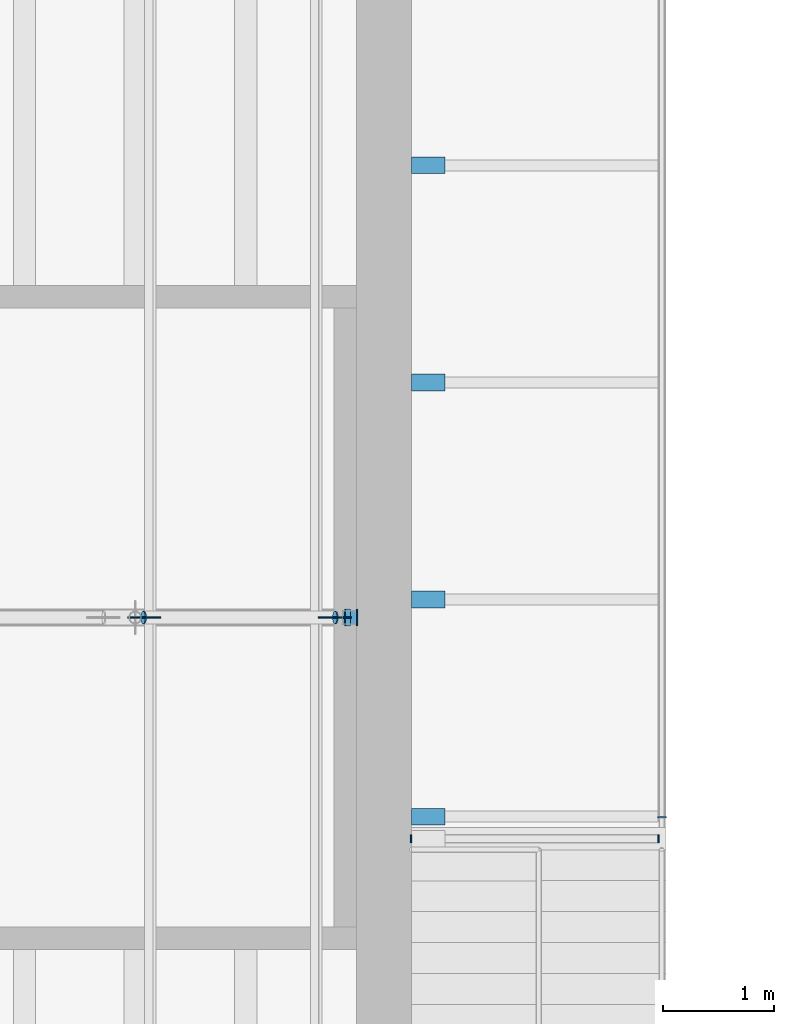
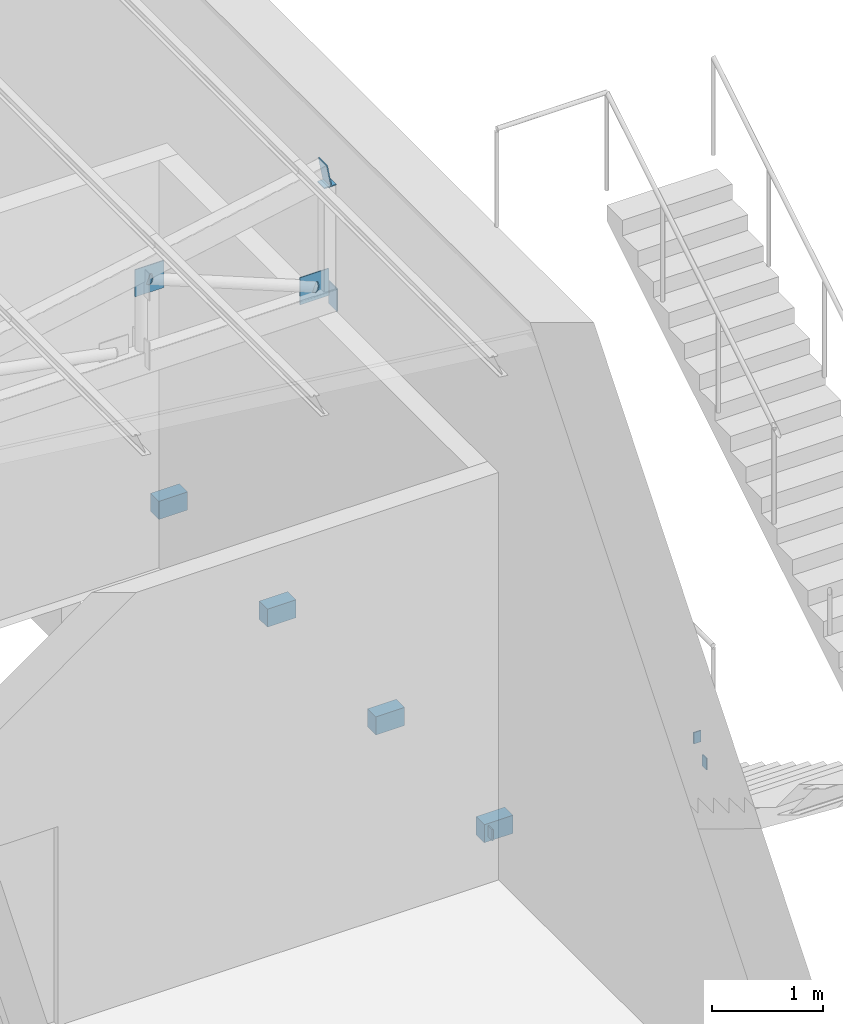
# One storey, part 94 of 118: 14 discrete accessories.
"""IFC4 building model written with IfcOpenShell, lengths in metres."""

from ifc_helpers import new_model, si_unit, direction, frame, origin, origin_2d, place, context, subcontext, project, spatial, rectangle, circle, extrude, material, material_profile, profile_set, type_object, element, save


model = new_model("IFC4")

# Units and contexts
model_context = context("Model", 3, precision=1e-05, world=origin(), true_north=direction((0.0, 1.0)))
body_context = subcontext(model_context, "Body", "Model", "MODEL_VIEW")
ifc_project = project(units=[si_unit("LENGTHUNIT", "METRE"), si_unit("AREAUNIT", "SQUARE_METRE"), si_unit("VOLUMEUNIT", "CUBIC_METRE"), si_unit("PLANEANGLEUNIT", "RADIAN"), si_unit("MASSUNIT", "GRAM", prefix="KILO")], contexts=[model_context])

# Site, building, storey
site_placement = place(None, origin())
site = spatial("IfcSite", under=ifc_project, at=site_placement, CompositionType="ELEMENT")
building_placement = place(site_placement, origin())
building = spatial("IfcBuilding", under=site, at=building_placement, Name="Saffron Lane Theatres", CompositionType="ELEMENT")
storey_placement = place(building_placement, frame((0.0, 0.0, 16.5)))
storey = spatial("IfcBuildingStorey", under=building, at=storey_placement, Name="L03", CompositionType="ELEMENT", Elevation=16.5)

# Discrete accessories
ifc_material_1 = material(Name="Steel Grade 350", Category="steel")
ifc_material_profile_1 = material_profile(ifc_material_1, rectangle(XDim=0.300048828125, YDim=0.300048828125, at=origin_2d()))
ifc_profile_set_1 = profile_set([ifc_material_profile_1], Name="Steel Grade 350")
discrete_accessory_type_1 = type_object("IfcDiscreteAccessoryType", Name="ST-GUSSET CONNECTION PLATE", PredefinedType="BRACKET", material=ifc_profile_set_1)
for number, where, z_axis, x_axis, name in (
    (1, (17.80517578125, 38.9951171875, 4.802978515625), (0.0, 1.0, 0.0), (-1.0, 0.0, 0.0), "GB349"),
    (2, (16.082275390625, 38.9951171875, 5.493896484375), (0.0, 1.0, 0.0), (-1.0, 0.0, 0.0), "GB350"),
):
    element("IfcDiscreteAccessory", number, at=place(storey_placement, frame(where, z_axis=z_axis, x_axis=x_axis)), inside=storey, type_object=discrete_accessory_type_1, Name=name, PredefinedType="BRACKET", context=body_context, shape_type="SweptSolid", body=[
        extrude(rectangle(XDim=0.300048828125, YDim=0.300048828125, at=origin_2d()), origin(), (0.0, 0.0, 1.0), 0.009765625),
    ])
ifc_material_2 = material(Name="Steel Grade 350", Category="steel")
ifc_material_profile_2 = material_profile(ifc_material_2, circle(Radius=0.05712890625, at=origin_2d()))
ifc_profile_set_2 = profile_set([ifc_material_profile_2], Name="Steel Grade 350")
discrete_accessory_type_2 = type_object("IfcDiscreteAccessoryType", Name="ST-STEEL END CAP 114.3x6.0 CHS", PredefinedType="ANCHORPLATE", material=ifc_profile_set_2)
for number, where, z_axis, x_axis, name in (
    (3, (17.81640625, 39.0, 4.798583984375), (-0.931242779706, 0.0, 0.364399348581), (0.0, -1.0, 0.0), "EC480"),
    (4, (16.082275390625, 39.0, 5.493896484375), (-0.931242779706, 0.0, 0.364399348581), (0.0, -1.0, 0.0), "EC481"),
):
    element("IfcDiscreteAccessory", number, at=place(storey_placement, frame(where, z_axis=z_axis, x_axis=x_axis)), inside=storey, type_object=discrete_accessory_type_2, Name=name, PredefinedType="ANCHORPLATE", context=body_context, shape_type="SweptSolid", body=[
        extrude(circle(Radius=0.05712890625, at=origin_2d()), origin(), (0.0, 0.0, 1.0), 0.011962890625),
    ])
ifc_material_3 = material(Name="Steel Grade 350", Category="steel")
ifc_material_profile_3 = material_profile(ifc_material_3, rectangle(XDim=0.125, YDim=0.125, at=origin_2d()))
ifc_profile_set_3 = profile_set([ifc_material_profile_3], Name="Steel Grade 350")
discrete_accessory_type_3 = type_object("IfcDiscreteAccessoryType", Name="ST-STEEL END CAP 125x125x6 SHS", PredefinedType="ANCHORPLATE", material=ifc_profile_set_3)
discrete_accessory_1_placement = place(storey_placement, frame((17.9375, 39.0, 5.890869140625), z_axis=(0.0, 0.0, 1.0), x_axis=(1.0, 0.0, 0.0)))
element("IfcDiscreteAccessory", 5, at=discrete_accessory_1_placement, inside=storey, type_object=discrete_accessory_type_3, Name="EC477", PredefinedType="ANCHORPLATE", context=body_context, shape_type="SweptSolid", body=[
    extrude(rectangle(XDim=0.125, YDim=0.125, at=origin_2d()), origin(), (0.0, 0.0, 1.0), 0.011962890625),
])
ifc_material_4 = material(Name="Steel Grade 350", Category="steel")
ifc_material_profile_4 = material_profile(ifc_material_4, rectangle(XDim=0.074951171875, YDim=0.125, at=origin_2d()))
ifc_profile_set_4 = profile_set([ifc_material_profile_4], Name="Steel Grade 350")
discrete_accessory_type_4 = type_object("IfcDiscreteAccessoryType", Name="ST-STEEL END CAP 125x75x5 RHS", PredefinedType="ANCHORPLATE", material=ifc_profile_set_4)
for number, where, z_axis, x_axis, name in (
    (6, (18.488037109375, 37.0, -0.262451171875), (1.0, 0.0, 0.0), (0.0, 1.0, 0.0), "EC587"),
    (7, (20.72509765625, 37.0, -0.262451171875), (1.0, 0.0, 0.0), (0.0, 1.0, 0.0), "EC588"),
    (8, (20.762451171875, 37.18798828125, -0.112548828125), (0.0, 1.0, 0.0), (-1.0, 0.0, 0.0), "EC589"),
):
    element("IfcDiscreteAccessory", number, at=place(storey_placement, frame(where, z_axis=z_axis, x_axis=x_axis)), inside=storey, type_object=discrete_accessory_type_4, Name=name, PredefinedType="ANCHORPLATE", context=body_context, shape_type="SweptSolid", body=[
        extrude(rectangle(XDim=0.074951171875, YDim=0.125, at=origin_2d()), origin(), (0.0, 0.0, 1.0), 0.011962890625),
    ])
ifc_material_5 = material(Name="Steel Grade 350", Category="steel")
ifc_material_profile_5 = material_profile(ifc_material_5, rectangle(XDim=0.14990234375, YDim=0.25, at=origin_2d()))
ifc_profile_set_5 = profile_set([ifc_material_profile_5], Name="Steel Grade 350")
discrete_accessory_type_5 = type_object("IfcDiscreteAccessoryType", Name="ST-STEEL END CAP 250x150x9 RHS", PredefinedType="ANCHORPLATE", material=ifc_profile_set_5)
discrete_accessory_2_placement = place(storey_placement, frame((18.0, 39.0, 4.625), z_axis=(1.0, 0.0, 0.0), x_axis=(0.0, 1.0, 0.0)))
element("IfcDiscreteAccessory", 9, at=discrete_accessory_2_placement, inside=storey, type_object=discrete_accessory_type_5, Name="EC474", PredefinedType="ANCHORPLATE", context=body_context, shape_type="SweptSolid", body=[
    extrude(rectangle(XDim=0.14990234375, YDim=0.25, at=origin_2d()), origin(), (0.0, 0.0, 1.0), 0.011962890625),
])
discrete_accessory_3_placement = place(storey_placement, frame((17.91357421875, 39.0, 6.02587890625), z_axis=(0.983547166232, 0.0, 0.180651520328), x_axis=(0.0, 1.0, 0.0)))
element("IfcDiscreteAccessory", 10, at=discrete_accessory_3_placement, inside=storey, type_object=discrete_accessory_type_5, Name="EC476", PredefinedType="ANCHORPLATE", context=body_context, shape_type="SweptSolid", body=[
    extrude(rectangle(XDim=0.14990234375, YDim=0.25, at=origin_2d()), origin(), (0.0, 0.0, 1.0), 0.01220703125),
])
for number, where, z_axis, x_axis, name in (
    (11, (18.64990234375, 37.199951171875, -0.44775390625), (0.0, 0.0, 1.0), (1.0, 0.0, 0.0), "FKW16.5-2"),
    (12, (18.64990234375, 39.16259765625, -0.44775390625), (0.0, 0.0, 1.0), (1.0, 0.0, 0.0), "FKW16.5-3"),
    (13, (18.64990234375, 41.125, -0.44775390625), (0.0, 0.0, 1.0), (1.0, 0.0, 0.0), "FKW16.5-4"),
    (14, (18.64990234375, 43.08740234375, -0.44775390625), (0.0, 0.0, 1.0), (1.0, 0.0, 0.0), "FKW16.5-5"),
):
    element("IfcDiscreteAccessory", number, at=place(storey_placement, frame(where, z_axis=z_axis, x_axis=x_axis)), inside=storey, Name=name, PredefinedType="BRACKET", context=body_context, shape_type="SweptSolid", body=[
        extrude(rectangle(XDim=0.300048828125, YDim=0.14990234375, at=origin_2d()), origin(), (0.0, 0.0, 1.0), 0.199951171875),
    ])

save(model, "model.ifc")
